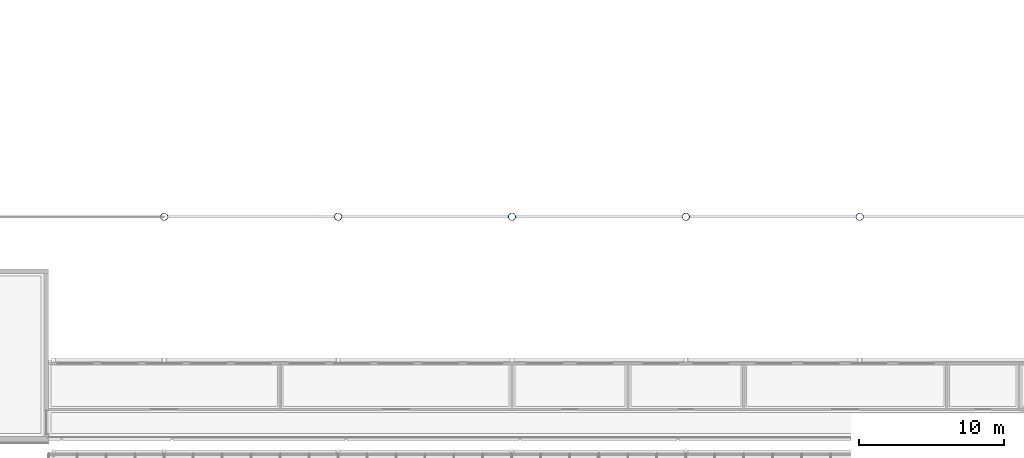
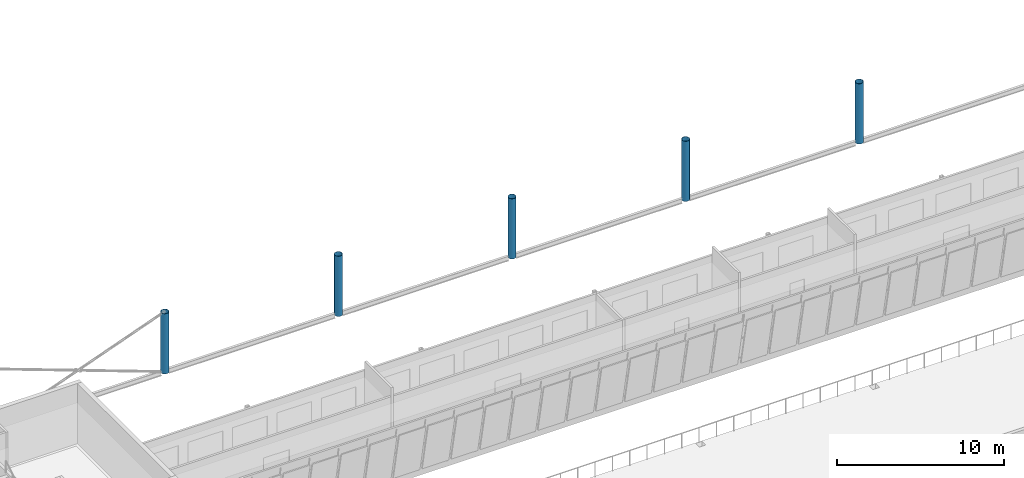
# One storey, part 4 of 95: 5 columns.
"""IFC4 building model written with IfcOpenShell, lengths in metres."""

from ifc_helpers import new_model, si_unit, direction, frame, origin, origin_2d, place, context, subcontext, project, spatial, hollow_circle, extrude, material, material_profile, profile_set, type_object, element, save


model = new_model("IFC4")

# Units and contexts
model_context = context("Model", 3, precision=1e-05, world=origin(), true_north=direction((0.0, 1.0)))
body_context = subcontext(model_context, "Body", "Model", "MODEL_VIEW")
ifc_project = project(units=[si_unit("LENGTHUNIT", "METRE"), si_unit("AREAUNIT", "SQUARE_METRE"), si_unit("VOLUMEUNIT", "CUBIC_METRE"), si_unit("PLANEANGLEUNIT", "RADIAN"), si_unit("MASSUNIT", "GRAM", prefix="KILO")], contexts=[model_context])

# Site, building, storey
site_placement = place(None, origin())
site = spatial("IfcSite", under=ifc_project, at=site_placement, CompositionType="ELEMENT")
building_placement = place(site_placement, origin())
building = spatial("IfcBuilding", under=site, at=building_placement, Name="Windward Yard Aquatics Centre", CompositionType="ELEMENT")
storey_placement = place(building_placement, frame((0.0, 0.0, 9.39990234375)))
storey = spatial("IfcBuildingStorey", under=building, at=storey_placement, Name="L02", CompositionType="ELEMENT", Elevation=9.39990234375)

# Columns
ifc_material = material(Name="Steel ASTM A500 Gr C", Category="steel")
ifc_material_profile = material_profile(ifc_material, hollow_circle(Radius=0.25390625, WallThickness=0.015869140625, at=origin_2d()), Name="HSS508X15.9")
ifc_profile_set = profile_set([ifc_material_profile], Name="Steel ASTM A500 Gr C")
column_type = type_object("IfcColumnType", Name="H arch column HSS508X15.9", PredefinedType="COLUMN", material=ifc_profile_set)
for number, where, z_axis, x_axis, name in (
    (1, (72.0, 41.60009765625, 0.0), (0.0, 0.0, 1.0), (1.0, 0.0, 0.0), "H.AC.S2.L02"),
    (2, (84.0, 41.60009765625, 0.0), (0.0, 0.0, 1.0), (1.0, 0.0, 0.0), "H.AC.S3.L02"),
    (3, (96.0, 41.60009765625, 0.0), (0.0, 0.0, 1.0), (1.0, 0.0, 0.0), "H.AC.S4.L02"),
    (4, (108.0, 41.60009765625, 0.0), (0.0, 0.0, 1.0), (1.0, 0.0, 0.0), "H.AC.S5.L02"),
    (5, (120.0, 41.60009765625, 0.0), (0.0, 0.0, 1.0), (1.0, 0.0, 0.0), "H.AC.S6.L02"),
):
    element("IfcColumn", number, at=place(storey_placement, frame(where, z_axis=z_axis, x_axis=x_axis)), inside=storey, type_object=column_type, Name=name, PredefinedType="COLUMN", context=body_context, shape_type="SweptSolid", body=[
        extrude(hollow_circle(Radius=0.25390625, WallThickness=0.015869140625, at=origin_2d()), origin(), (0.0, 0.0, 1.0), 4.400146484375),
    ])

save(model, "model.ifc")
